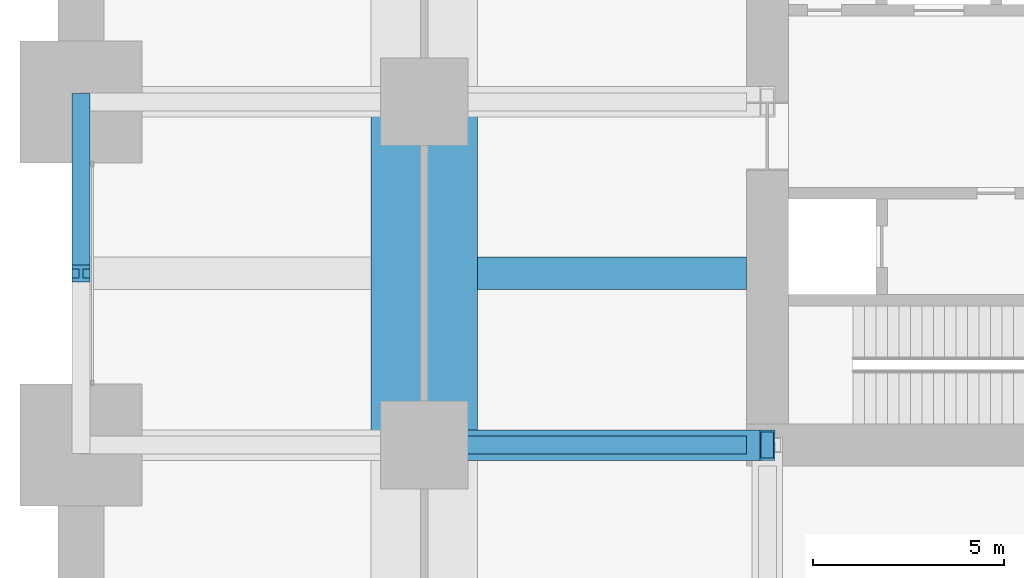
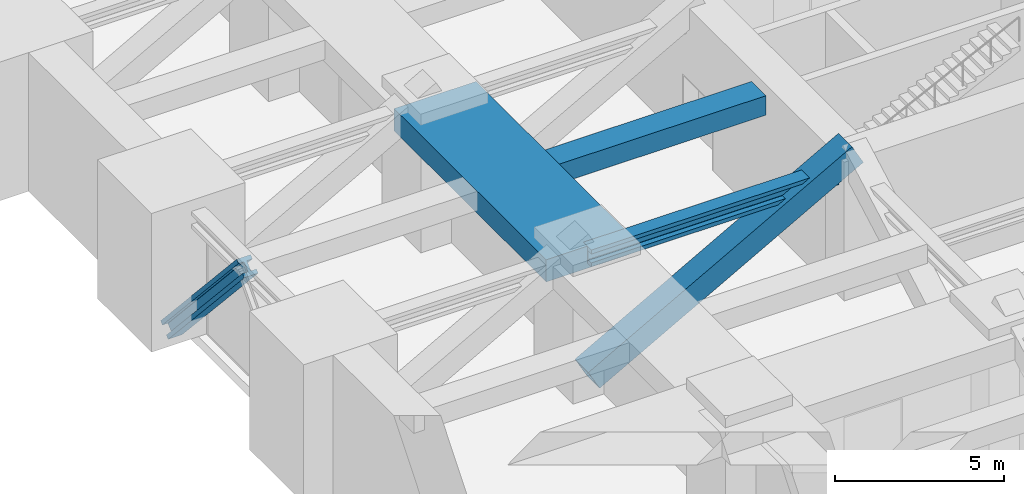
# One storey, part 7 of 35: 3 beams, 2 members.
"""IFC4 building model written with IfcOpenShell, lengths in metres."""

from ifc_helpers import new_model, si_unit, direction, frame, origin, origin_2d, place, context, subcontext, project, spatial, rectangle, hollow_rectangle, i_section, extrude, material, material_profile, profile_set, type_object, element, save


model = new_model("IFC4")

# Units and contexts
model_context = context("Model", 3, precision=1e-05, world=origin(), true_north=direction((0.0, 1.0)))
body_context = subcontext(model_context, "Body", "Model", "MODEL_VIEW")
ifc_project = project(units=[si_unit("LENGTHUNIT", "METRE"), si_unit("AREAUNIT", "SQUARE_METRE"), si_unit("VOLUMEUNIT", "CUBIC_METRE"), si_unit("PLANEANGLEUNIT", "RADIAN"), si_unit("MASSUNIT", "GRAM", prefix="KILO")], contexts=[model_context])

# Site, building, storey
site_placement = place(None, origin())
site = spatial("IfcSite", under=ifc_project, at=site_placement, CompositionType="ELEMENT")
building_placement = place(site_placement, origin())
building = spatial("IfcBuilding", under=site, at=building_placement, Name="Zorevar Civic Tower", CompositionType="ELEMENT")
storey_placement = place(building_placement, frame((0.0, 0.0, 80.0)))
storey = spatial("IfcBuildingStorey", under=building, at=storey_placement, Name="L19", CompositionType="ELEMENT", Elevation=80.0)

# Beams
ifc_material_1 = material(Name="Concrete C50/60", Category="concrete")
ifc_material_profile_1 = material_profile(ifc_material_1, rectangle(XDim=2.800048828125, YDim=0.800048828125, at=origin_2d()), Name="RC 2800x800")
ifc_profile_set_1 = profile_set([ifc_material_profile_1], Name="Concrete C50/60")
beam_type_1 = type_object("IfcBeamType", Name="Beam RC 2800x800", PredefinedType="BEAM", material=ifc_profile_set_1)
beam_1_placement = place(storey_placement, frame((9.0, 18.0, 4.199951171875), z_axis=(0.0, 1.0, 0.0), x_axis=(-1.0, 0.0, 0.0)))
element("IfcBeam", 1, at=beam_1_placement, inside=storey, type_object=beam_type_1, Name="Girder L20", PredefinedType="BEAM", context=body_context, shape_type="SweptSolid", body=[
    extrude(rectangle(XDim=2.800048828125, YDim=0.800048828125, at=origin_2d()), origin(), (0.0, 0.0, 1.0), 9.0),
])
ifc_material_2 = material(Name="Concrete C50/60", Category="concrete")
ifc_material_profile_2 = material_profile(ifc_material_2, rectangle(XDim=0.85009765625, YDim=0.699951171875, at=origin_2d()), Name="RC 850x700")
ifc_profile_set_2 = profile_set([ifc_material_profile_2], Name="Concrete C50/60")
beam_type_2 = type_object("IfcBeamType", Name="Beam RC 850x700", PredefinedType="BEAM", material=ifc_profile_set_2)
beam_2_placement = place(storey_placement, frame((10.39990234375, 22.5, 4.25), z_axis=(1.0, 0.0, 0.0), x_axis=(0.0, 1.0, 0.0)))
element("IfcBeam", 2, at=beam_2_placement, inside=storey, type_object=beam_type_2, Name="Secondary beam L20", PredefinedType="BEAM", context=body_context, shape_type="SweptSolid", body=[
    extrude(rectangle(XDim=0.85009765625, YDim=0.699951171875, at=origin_2d()), origin(), (0.0, 0.0, 1.0), 7.050048828125),
])

# Member
ifc_material_3 = material(Name="Steel S460M (HISTAR 460)", Category="steel")
ifc_material_profile_3 = material_profile(ifc_material_3, i_section(OverallWidth=0.47607421875, OverallDepth=0.60009765625, WebThickness=0.10009765625, FlangeThickness=0.139892578125, FilletRadius=0.014892578125, at=origin_2d()), Name="HD 400x1299")
ifc_profile_set_3 = profile_set([ifc_material_profile_3], Name="Steel S460M (HISTAR 460)")
member_type_1 = type_object("IfcMemberType", Name="Belt strut HD 400x1299", PredefinedType="BRACE", material=ifc_profile_set_3)
member_1_placement = place(storey_placement, frame((0.0, 27.0, -0.64990234375), z_axis=(0.0, -0.672676426978, 0.739936770669), x_axis=(1.0, 0.0, 0.0)))
element("IfcMember", 3, at=member_1_placement, inside=storey, type_object=member_type_1, Name="Belt strut W L19", PredefinedType="BRACE", context=body_context, shape_type="SweptSolid", body=[
    extrude(i_section(OverallWidth=0.47607421875, OverallDepth=0.60009765625, WebThickness=0.10009765625, FlangeThickness=0.139892578125, FilletRadius=0.014892578125, at=origin_2d()), origin(), (0.0, 0.0, 1.0), 6.689697265625),
])

# Beam
ifc_material_4 = material(Name="Steel S460M (HISTAR 460)", Category="steel")
ifc_material_profile_4 = material_profile(ifc_material_4, i_section(OverallWidth=0.47607421875, OverallDepth=0.60009765625, WebThickness=0.10009765625, FlangeThickness=0.139892578125, FilletRadius=0.014892578125, at=origin_2d()), Name="HD 400x1299")
ifc_profile_set_4 = profile_set([ifc_material_profile_4], Name="Steel S460M (HISTAR 460)")
beam_type_3 = type_object("IfcBeamType", Name="Outrigger chord HD 400x1299", PredefinedType="BEAM", material=ifc_profile_set_4)
beam_3_placement = place(storey_placement, frame((9.0, 18.0, 4.300048828125), z_axis=(1.0, 0.0, 0.0), x_axis=(0.0, 1.0, 0.0)))
element("IfcBeam", 4, at=beam_3_placement, inside=storey, type_object=beam_type_3, Name="Outrigger chord L20", PredefinedType="BEAM", context=body_context, shape_type="SweptSolid", body=[
    extrude(i_section(OverallWidth=0.47607421875, OverallDepth=0.60009765625, WebThickness=0.10009765625, FlangeThickness=0.139892578125, FilletRadius=0.014892578125, at=origin_2d()), origin(), (0.0, 0.0, 1.0), 8.449951171875),
])

# Member
ifc_material_5 = material(Name="Steel S460M (HISTAR 460)", Category="steel")
ifc_material_profile_5 = material_profile(ifc_material_5, hollow_rectangle(XDim=0.800048828125, YDim=0.800048828125, WallThickness=0.06005859375, at=origin_2d()), Name="BOX 800x800x60")
ifc_profile_set_5 = profile_set([ifc_material_profile_5], Name="Steel S460M (HISTAR 460)")
member_type_2 = type_object("IfcMemberType", Name="Outrigger diagonal BOX 800x800x60", PredefinedType="BRACE", material=ifc_profile_set_5)
member_2_placement = place(storey_placement, frame((18.0, 18.0, 5.0), z_axis=(-0.874157276122, 0.0, -0.485642931179), x_axis=(0.0, -1.0, 0.0)))
element("IfcMember", 5, at=member_2_placement, inside=storey, type_object=member_type_2, Name="Outrigger diagonal W L19", PredefinedType="BRACE", context=body_context, shape_type="SweptSolid", body=[
    extrude(hollow_rectangle(XDim=0.800048828125, YDim=0.800048828125, WallThickness=0.06005859375, at=origin_2d()), origin(), (0.0, 0.0, 1.0), 10.295654296875),
])

save(model, "model.ifc")
